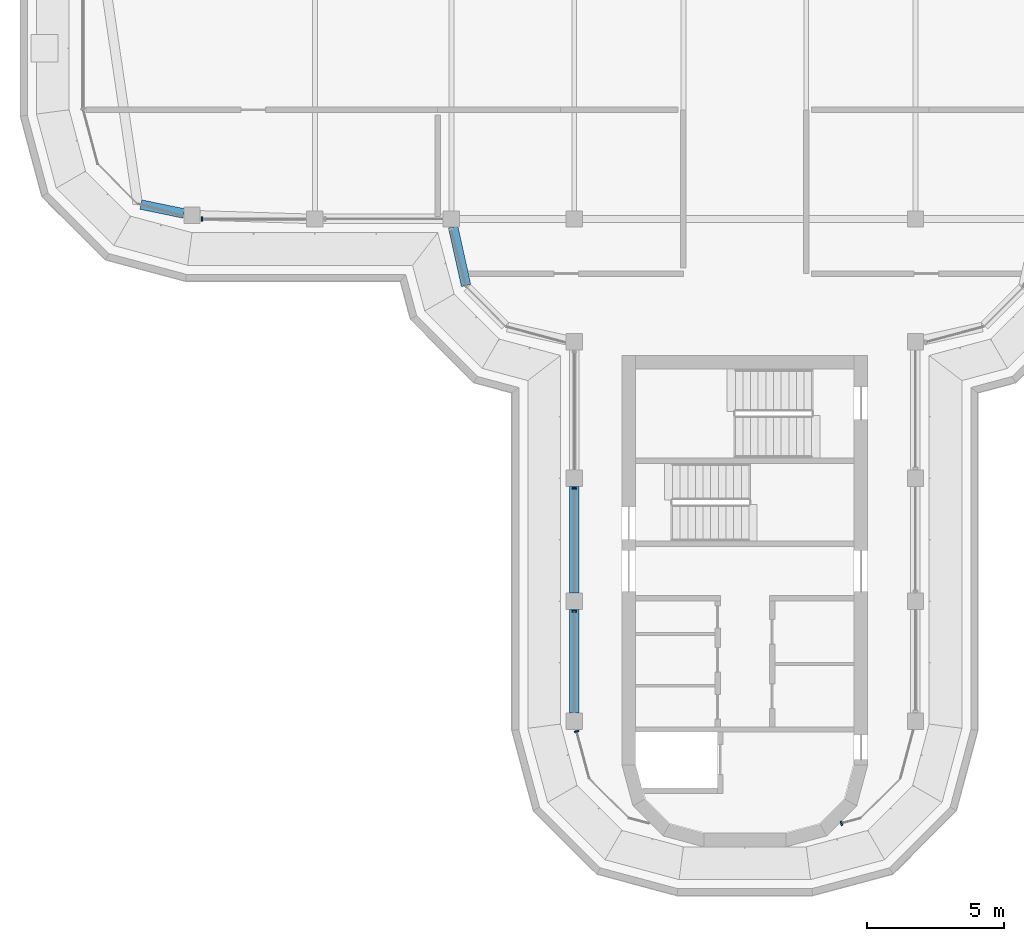
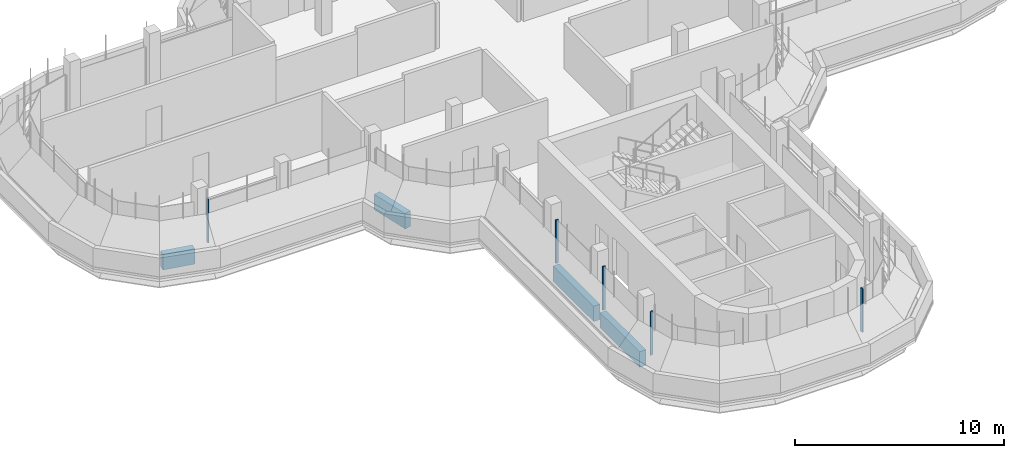
# One storey, part 2 of 19: 5 members, 4 beams, 4 elements without a shape of their own.
"""IFC4 building model written with IfcOpenShell, lengths in metres."""

import ifcopenshell
import ifcopenshell.guid

model = None  # the IFC model being written
_history = None  # IfcOwnerHistory: only IFC2X3 demands one
_inside = {}  # id of a spatial element -> (the spatial element, [elements in it])
_under = {}  # id of a project, library or spatial element -> (it, [spatial elements below it])
_declared = {}  # id of a project -> (the project, [libraries it declares])
_typed = {}  # id of a type object -> (the type object, [elements of that type])
_made_of = {}  # id of a material, layer set ... -> (it, [elements and type objects made of it])


def new_model(schema):
    """Start an empty IFC model of exactly this schema.

    Asked for "IFC4X3", IfcOpenShell would pick the latest addendum, in which some entities
    have other attributes; the version numbers below select the first issue.
    IFC2X3 requires an IfcOwnerHistory on every rooted entity: one is made here for all.
    """
    global model, _history
    if schema == "IFC4X3":
        model = ifcopenshell.file(schema_version=(4, 3, 0, 0))
    else:
        model = ifcopenshell.file(schema=schema)
    _inside.clear()
    _under.clear()
    _declared.clear()
    _typed.clear()
    _made_of.clear()
    _history = None
    if model.schema == "IFC2X3":
        org = make("IfcOrganization", Name="unknown")
        user = make(
            "IfcPersonAndOrganization",
            ThePerson=make("IfcPerson", FamilyName="unknown"),
            TheOrganization=org,
        )
        app = make(
            "IfcApplication",
            ApplicationDeveloper=org,
            Version="unknown",
            ApplicationFullName="unknown",
            ApplicationIdentifier="unknown",
        )
        _history = make(
            "IfcOwnerHistory",
            OwningUser=user,
            OwningApplication=app,
            ChangeAction="ADDED",
            CreationDate=0,
        )
    return model


def make(cls, **values):
    """One entity of the class cls with the attributes given. An attribute that is None is left unset."""
    return model.create_entity(
        cls, **{name: value for name, value in values.items() if value is not None}
    )


def rooted(cls, **values):
    """An entity with a GlobalId (a new one), such as an element, a storey or a relation."""
    return make(cls, GlobalId=ifcopenshell.guid.new(), OwnerHistory=_history, **values)


def si_unit(unit_type, name, prefix=None):
    """IfcSIUnit, for example si_unit("LENGTHUNIT", "METRE", prefix="MILLI")."""
    return make("IfcSIUnit", UnitType=unit_type, Prefix=prefix, Name=name)


def assignment(units):
    """IfcUnitAssignment: the units of a project."""
    return None if units is None else make("IfcUnitAssignment", Units=units)


def point(xyz):
    """IfcCartesianPoint."""
    return None if xyz is None else make("IfcCartesianPoint", Coordinates=xyz)


def direction(xyz):
    """IfcDirection."""
    return None if xyz is None else make("IfcDirection", DirectionRatios=xyz)


def frame(location, z_axis=None, x_axis=None):
    """IfcAxis2Placement3D, a coordinate frame: its origin and axes. An axis left out is left unset."""
    return make(
        "IfcAxis2Placement3D",
        Location=point(location),
        Axis=direction(z_axis),
        RefDirection=direction(x_axis),
    )


def frame_2d(location, x_axis=None):
    """IfcAxis2Placement2D, a coordinate frame in the plane: its origin and x axis."""
    return make(
        "IfcAxis2Placement2D", Location=point(location), RefDirection=direction(x_axis)
    )


def origin():
    """The frame at (0, 0, 0) with its axes left unset."""
    return frame((0.0, 0.0, 0.0))


def origin_2d():
    """The frame at (0, 0) in the plane with its x axis left unset."""
    return frame_2d((0.0, 0.0))


def place(relative_to, where):
    """IfcLocalPlacement: puts the frame where relative to a parent placement (None: the world)."""
    return make(
        "IfcLocalPlacement", PlacementRelTo=relative_to, RelativePlacement=where
    )


def context(
    kind, dimensions, precision=None, world=None, true_north=None, identifier=None
):
    """IfcGeometricRepresentationContext, for example the 3D "Model" context."""
    return make(
        "IfcGeometricRepresentationContext",
        ContextIdentifier=identifier,
        ContextType=kind,
        CoordinateSpaceDimension=dimensions,
        Precision=precision,
        WorldCoordinateSystem=world,
        TrueNorth=true_north,
    )


def subcontext(parent, identifier, kind, view, scale=None):
    """IfcGeometricRepresentationSubContext, for example "Body" below "Model"."""
    return make(
        "IfcGeometricRepresentationSubContext",
        ContextIdentifier=identifier,
        ContextType=kind,
        ParentContext=parent,
        TargetScale=scale,
        TargetView=view,
    )


def project(units=None, contexts=None):
    """IfcProject with its units and contexts."""
    return rooted(
        "IfcProject",
        Name="project",
        RepresentationContexts=contexts,
        UnitsInContext=assignment(units),
    )


def spatial(cls, under=None, at=None, **own):
    """A site, building, storey or space (cls), placed at a placement, below another one or the project."""
    s = rooted(cls, ObjectPlacement=at, **own)
    if under is not None:
        _under.setdefault(under.id(), (under, []))[1].append(s)
    return s


def polyline(points):
    """IfcPolyline through the points."""
    return make("IfcPolyline", Points=[point(p) for p in points])


def profile(cls, at=None, kind="AREA", **sizes):
    """A parametric profile (cls). Its sizes go by their IFC names, for example OverallWidth=200.0."""
    return make(cls, ProfileType=kind, Position=at, **sizes)


def rectangle(**sizes):
    """IfcRectangleProfileDef."""
    return profile("IfcRectangleProfileDef", **sizes)


def outline(outer, holes=None, kind="AREA"):
    """IfcArbitraryClosedProfileDef: a profile drawn as a closed curve; with holes, ...WithVoids."""
    if holes is None:
        return make("IfcArbitraryClosedProfileDef", ProfileType=kind, OuterCurve=outer)
    return make(
        "IfcArbitraryProfileDefWithVoids",
        ProfileType=kind,
        OuterCurve=outer,
        InnerCurves=holes,
    )


def extrude(swept, where, along, depth):
    """IfcExtrudedAreaSolid: the profile swept, set in the frame where, extruded along a direction by depth."""
    return make(
        "IfcExtrudedAreaSolid",
        SweptArea=swept,
        Position=where,
        ExtrudedDirection=direction(along),
        Depth=depth,
    )


def shape(context_of_items, identifier, shape_type, items):
    """IfcShapeRepresentation: the items that make up one representation, for example the "Body"."""
    return make(
        "IfcShapeRepresentation",
        ContextOfItems=context_of_items,
        RepresentationIdentifier=identifier,
        RepresentationType=shape_type,
        Items=items,
    )


def source(mapping_origin, context_of_items, identifier, shape_type, items):
    """IfcRepresentationMap: a shape defined once, which mapped items show again and again."""
    return make(
        "IfcRepresentationMap",
        MappingOrigin=mapping_origin,
        MappedRepresentation=shape(context_of_items, identifier, shape_type, items),
    )


def transform(
    local_origin,
    x_axis=None,
    y_axis=None,
    z_axis=None,
    scale=None,
    scale2=None,
    scale3=None,
    uniform=True,
):
    """IfcCartesianTransformationOperator3D, or its non-uniform kind. x_axis, y_axis, z_axis: its Axis1, 2, 3."""
    if uniform:
        return make(
            "IfcCartesianTransformationOperator3D",
            Axis1=direction(x_axis),
            Axis2=direction(y_axis),
            LocalOrigin=point(local_origin),
            Scale=scale,
            Axis3=direction(z_axis),
        )
    return make(
        "IfcCartesianTransformationOperator3DnonUniform",
        Axis1=direction(x_axis),
        Axis2=direction(y_axis),
        LocalOrigin=point(local_origin),
        Scale=scale,
        Axis3=direction(z_axis),
        Scale2=scale2,
        Scale3=scale3,
    )


def mapped(mapping_source, mapping_target):
    """IfcMappedItem: shows the shape of a source again, moved by a transform."""
    return make(
        "IfcMappedItem", MappingSource=mapping_source, MappingTarget=mapping_target
    )


def material(Name=None, Category=None):
    """IfcMaterial."""
    return make("IfcMaterial", Name=Name, Category=Category)


def material_profile(
    of_material, cross_section, Name=None, Category=None, Priority=None
):
    """IfcMaterialProfile: a cross section and its material."""
    return make(
        "IfcMaterialProfile",
        Name=Name,
        Material=of_material,
        Profile=cross_section,
        Priority=Priority,
        Category=Category,
    )


def profile_set(profiles, Name=None, composite=None):
    """IfcMaterialProfileSet."""
    return make(
        "IfcMaterialProfileSet",
        Name=Name,
        MaterialProfiles=profiles,
        CompositeProfile=composite,
    )


def made_of(thing, what):
    """Note that an element or type object is made of a material, layer set ...; save() writes the relation."""
    if what is not None:
        _made_of.setdefault(what.id(), (what, []))[1].append(thing)
    return thing


def type_object(cls, material=None, **own):
    """A type object (cls), such as IfcWallType, which elements share."""
    return made_of(rooted(cls, **own), material)


def element(
    cls,
    number,
    at=None,
    inside=None,
    cuts=None,
    type_object=None,
    material=None,
    context=None,
    identifier="Body",
    shape_type=None,
    held_by="IfcProductDefinitionShape",
    body=None,
    shapes=None,
    **own,
):
    """One element of the class cls, such as IfcWall. Its Tag is "e" and its number.

    at: its placement. inside: the storey or other place that contains it. cuts: it is an
    opening in that element (IfcRelVoidsElement). A single representation is given by context,
    identifier, shape_type and body (its items); several are given by shapes. held_by: the class
    of the entity that holds the representations. save() writes the other relations.
    """
    e = rooted(cls, Tag="e%d" % number, ObjectPlacement=at, **own)
    if body is not None:
        shapes = [shape(context, identifier, shape_type, body)]
    if shapes is not None:
        e.Representation = make(held_by, Representations=shapes)
    if inside is not None:
        _inside.setdefault(inside.id(), (inside, []))[1].append(e)
    if cuts is not None:
        rooted(
            "IfcRelVoidsElement", RelatingBuildingElement=cuts, RelatedOpeningElement=e
        )
    if type_object is not None:
        _typed.setdefault(type_object.id(), (type_object, []))[1].append(e)
    return made_of(e, material)


def aggregate(whole, parts):
    """IfcRelAggregates: a whole, such as a stair, and the parts it consists of."""
    return rooted("IfcRelAggregates", RelatingObject=whole, RelatedObjects=parts)


def save(model, path):
    """Write the relations noted so far, then the file.

    IfcRelAggregates (storeys below a building ...), IfcRelContainedInSpatialStructure (elements
    in a storey), IfcRelDefinesByType, IfcRelAssociatesMaterial and IfcRelDeclares: one each for
    every whole, place, type object, material and project.
    """
    for whole, parts in _under.values():
        aggregate(whole, parts)
    for where, things in _inside.values():
        rooted(
            "IfcRelContainedInSpatialStructure",
            RelatedElements=things,
            RelatingStructure=where,
        )
    for kind, things in _typed.values():
        rooted("IfcRelDefinesByType", RelatedObjects=things, RelatingType=kind)
    for what, things in _made_of.values():
        rooted("IfcRelAssociatesMaterial", RelatedObjects=things, RelatingMaterial=what)
    for by, libraries in _declared.values():
        rooted("IfcRelDeclares", RelatingContext=by, RelatedDefinitions=libraries)
    model.write(path)


model = new_model("IFC4")

# Units and contexts
model_context = context("Model", 3, precision=1e-05, world=origin(), true_north=direction((0.0, 1.0)))
body_context = subcontext(model_context, "Body", "Model", "MODEL_VIEW")
ifc_project = project(units=[si_unit("LENGTHUNIT", "METRE"), si_unit("AREAUNIT", "SQUARE_METRE"), si_unit("VOLUMEUNIT", "CUBIC_METRE"), si_unit("PLANEANGLEUNIT", "RADIAN"), si_unit("MASSUNIT", "GRAM", prefix="KILO")], contexts=[model_context])

# Site, building, storey
site_placement = place(None, origin())
site = spatial("IfcSite", under=ifc_project, at=site_placement, CompositionType="ELEMENT")
building_placement = place(site_placement, origin())
building = spatial("IfcBuilding", under=site, at=building_placement, Name="Zarbagh Exchange Tower", CompositionType="ELEMENT")
storey_placement = place(building_placement, frame((0.0, 0.0, 295.199951171875)))
storey = spatial("IfcBuildingStorey", under=building, at=storey_placement, Name="L72", CompositionType="ELEMENT", Elevation=295.199951171875)

# Beams
ifc_material_1 = material(Name="Concrete C40/50", Category="concrete")
ifc_material_profile = material_profile(ifc_material_1, rectangle(XDim=0.35009765625, YDim=0.89990234375, at=origin_2d()), Name="RC spandrel beam 350 x 900 C40/50")
ifc_profile_set = profile_set([ifc_material_profile], Name="Concrete C40/50")
beam_type = type_object("IfcBeamType", Name="RC spandrel beam 350 x 900 C40/50", PredefinedType="SPANDREL", material=ifc_profile_set)
beam_1_placement = place(storey_placement, frame((-6.25, -24.35009765625, -0.599853515625), z_axis=(0.0, 1.0, 0.0), x_axis=(-1.0, 0.0, 0.0)))
element("IfcBeam", 1, at=beam_1_placement, inside=storey, type_object=beam_type, Name="RC spandrel beam", PredefinedType="SPANDREL", context=body_context, shape_type="SweptSolid", body=[
    extrude(rectangle(XDim=0.35009765625, YDim=0.89990234375, at=origin_2d()), origin(), (0.0, 0.0, 1.0), 3.800048828125),
])
beam_2_placement = place(storey_placement, frame((-6.25, -19.949951171875, -0.599853515625), z_axis=(0.0, 1.0, 0.0), x_axis=(-1.0, 0.0, 0.0)))
element("IfcBeam", 2, at=beam_2_placement, inside=storey, type_object=beam_type, Name="RC spandrel beam", PredefinedType="SPANDREL", context=body_context, shape_type="SweptSolid", body=[
    extrude(rectangle(XDim=0.35009765625, YDim=0.89990234375, at=origin_2d()), origin(), (0.0, 0.0, 1.0), 3.89990234375),
])
beam_3_placement = place(storey_placement, frame((-10.2099609375, -8.69140625, -0.599853515625), z_axis=(-0.216025770228, 0.976387662047, 0.0), x_axis=(-0.976387662047, -0.216025770228, 0.0)))
element("IfcBeam", 3, at=beam_3_placement, inside=storey, type_object=beam_type, Name="RC spandrel beam", PredefinedType="SPANDREL", context=body_context, shape_type="SweptSolid", body=[
    extrude(rectangle(XDim=0.35009765625, YDim=0.89990234375, at=origin_2d()), origin(), (0.0, 0.0, 1.0), 2.200439453125),
])
beam_4_placement = place(storey_placement, frame((-20.543701171875, -6.04931640625, -0.599853515625), z_axis=(-0.979343298962, 0.202204606224, 0.0), x_axis=(-0.202204606224, -0.979343298962, 0.0)))
element("IfcBeam", 4, at=beam_4_placement, inside=storey, type_object=beam_type, Name="RC spandrel beam", PredefinedType="SPANDREL", context=body_context, shape_type="SweptSolid", body=[
    extrude(rectangle(XDim=0.35009765625, YDim=0.89990234375, at=origin_2d()), origin(), (0.0, 0.0, 1.0), 1.610595703125),
])

# Curtain wall, member
ifc_material_2 = material(Name="Anodised aluminium frame and glazing", Category="aluminium")
curtain_wall_type = type_object("IfcCurtainWallType", Name="CWF Crown tier glazing", PredefinedType="NOTDEFINED", material=ifc_material_2)
curtain_wall_1_placement = place(storey_placement, origin())
curtain_wall_1 = element("IfcCurtainWall", 5, at=curtain_wall_1_placement, inside=storey, type_object=curtain_wall_type, Name="CWF01 curtain wall", PredefinedType="NOTDEFINED")
ifc_material_3 = material(Name="Anodised aluminium frame", Category="aluminium")
member_type = type_object("IfcMemberType", Name="MUF Mullion, anodised aluminium frame", PredefinedType="MULLION", material=ifc_material_3)
shared_shape = source(origin(), body_context, "Body", "SweptSolid", [
    extrude(outline(polyline([(0.0, -0.080078125), (0.06005859375, -0.080078125), (0.06005859375, 0.080078125), (0.0, 0.080078125), (0.0, -0.080078125)])), origin(), (0.0, 0.0, 1.0), 2.550048828125),
])
placement = place(storey_placement, origin())
member_1 = element("IfcMember", 6, at=placement, type_object=member_type, Name="CWF01 mullion 1.1", PredefinedType="MULLION", context=body_context, shape_type="MappedRepresentation", body=[
    mapped(shared_shape, transform((3.510009765625, -28.394775390625, 0.0), x_axis=(0.965924289636, 0.258824779902, 0.0), y_axis=(-0.258824779902, 0.965924289636, 0.0), z_axis=(0.0, 0.0, 1.0))),
])
aggregate(curtain_wall_1, [member_1])

curtain_wall_2_placement = place(storey_placement, origin())
curtain_wall_2 = element("IfcCurtainWall", 7, at=curtain_wall_2_placement, inside=storey, type_object=curtain_wall_type, Name="CWF39 curtain wall", PredefinedType="NOTDEFINED")
member_2 = element("IfcMember", 8, at=placement, type_object=member_type, Name="CWF39 mullion 1.1", PredefinedType="MULLION", context=body_context, shape_type="MappedRepresentation", body=[
    mapped(shared_shape, transform((-19.909912109375, -6.25, 0.0), x_axis=(1.0, 0.0, 0.0), y_axis=(0.0, 1.0, 0.0), z_axis=(0.0, 0.0, 1.0))),
])
aggregate(curtain_wall_2, [member_2])

# Curtain wall, members
curtain_wall_3_placement = place(storey_placement, origin())
curtain_wall_3 = element("IfcCurtainWall", 9, at=curtain_wall_3_placement, inside=storey, type_object=curtain_wall_type, Name="CWF43 curtain wall", PredefinedType="NOTDEFINED")
member_3 = element("IfcMember", 10, at=placement, type_object=member_type, Name="CWF43 mullion 2.1", PredefinedType="MULLION", context=body_context, shape_type="MappedRepresentation", body=[
    mapped(shared_shape, transform((-6.25, -16.090087890625, 0.0), x_axis=(0.0, -1.0, 0.0), y_axis=(1.0, 0.0, 0.0), z_axis=(0.0, 0.0, 1.0))),
])
member_4 = element("IfcMember", 11, at=placement, type_object=member_type, Name="CWF43 mullion 3.1", PredefinedType="MULLION", context=body_context, shape_type="MappedRepresentation", body=[
    mapped(shared_shape, transform((-6.25, -20.590087890625, 0.0), x_axis=(0.0, -1.0, 0.0), y_axis=(1.0, 0.0, 0.0), z_axis=(0.0, 0.0, 1.0))),
])
aggregate(curtain_wall_3, [member_3, member_4])

# Curtain wall, member
curtain_wall_4_placement = place(storey_placement, origin())
curtain_wall_4 = element("IfcCurtainWall", 12, at=curtain_wall_4_placement, inside=storey, type_object=curtain_wall_type, Name="CWF44 curtain wall", PredefinedType="NOTDEFINED")
member_5 = element("IfcMember", 13, at=placement, type_object=member_type, Name="CWF44 mullion 1.1", PredefinedType="MULLION", context=body_context, shape_type="MappedRepresentation", body=[
    mapped(shared_shape, transform((-6.16796875, -24.989990234375, 0.0), x_axis=(0.258824779902, -0.965924289636, 0.0), y_axis=(0.965924289636, 0.258824779902, 0.0), z_axis=(0.0, 0.0, 1.0))),
])
aggregate(curtain_wall_4, [member_5])

save(model, "model.ifc")
